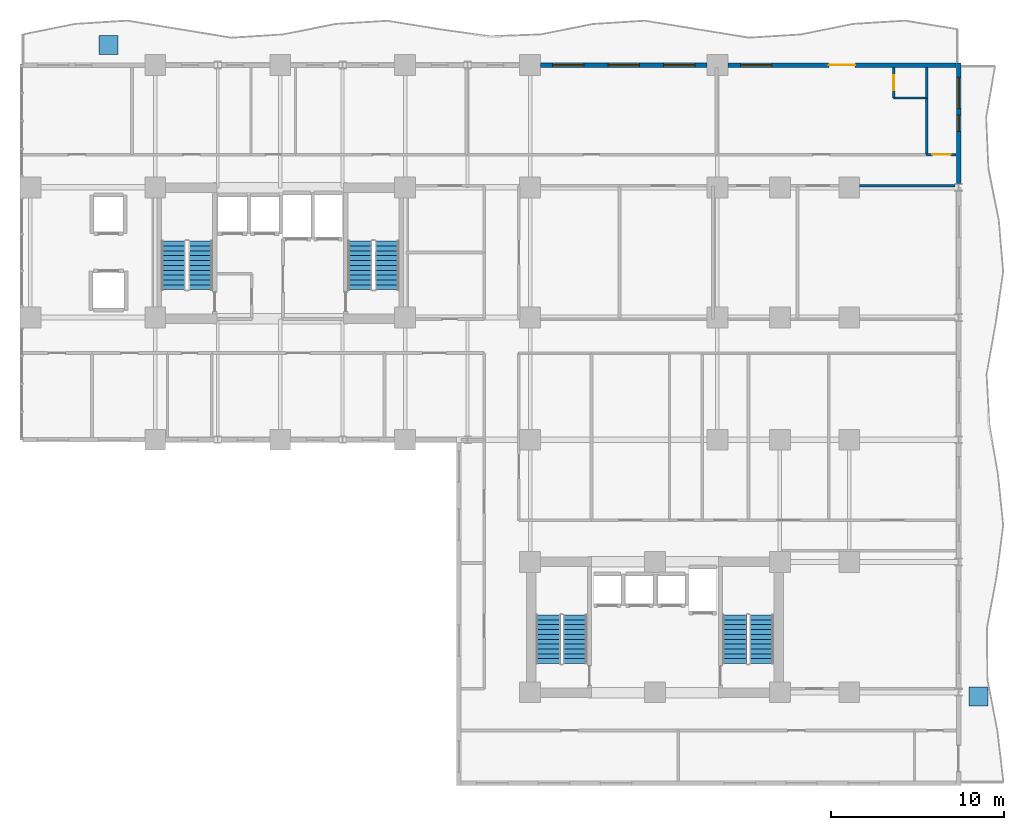
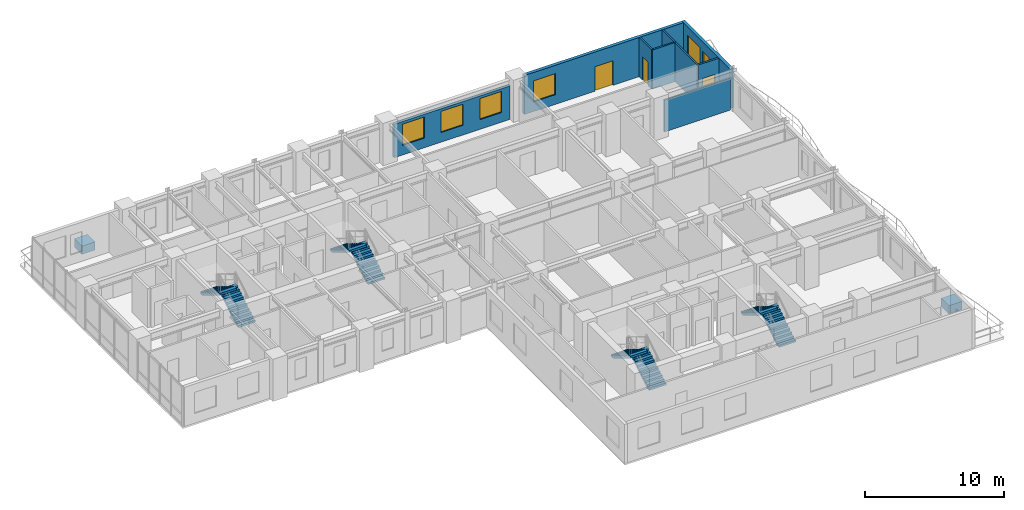
# One storey, part 15 of 18: 9 walls, 8 stair flights, 6 windows, 3 doors, 2 discrete accessories, 9 openings, 4 elements without a shape of their own.
"""IFC4 building model written with IfcOpenShell, lengths in metres."""

import ifcopenshell
import ifcopenshell.guid

model = None  # the IFC model being written
_history = None  # IfcOwnerHistory: only IFC2X3 demands one
_inside = {}  # id of a spatial element -> (the spatial element, [elements in it])
_under = {}  # id of a project, library or spatial element -> (it, [spatial elements below it])
_declared = {}  # id of a project -> (the project, [libraries it declares])
_typed = {}  # id of a type object -> (the type object, [elements of that type])
_made_of = {}  # id of a material, layer set ... -> (it, [elements and type objects made of it])


def new_model(schema):
    """Start an empty IFC model of exactly this schema.

    Asked for "IFC4X3", IfcOpenShell would pick the latest addendum, in which some entities
    have other attributes; the version numbers below select the first issue.
    IFC2X3 requires an IfcOwnerHistory on every rooted entity: one is made here for all.
    """
    global model, _history
    if schema == "IFC4X3":
        model = ifcopenshell.file(schema_version=(4, 3, 0, 0))
    else:
        model = ifcopenshell.file(schema=schema)
    _inside.clear()
    _under.clear()
    _declared.clear()
    _typed.clear()
    _made_of.clear()
    _history = None
    if model.schema == "IFC2X3":
        org = make("IfcOrganization", Name="unknown")
        user = make(
            "IfcPersonAndOrganization",
            ThePerson=make("IfcPerson", FamilyName="unknown"),
            TheOrganization=org,
        )
        app = make(
            "IfcApplication",
            ApplicationDeveloper=org,
            Version="unknown",
            ApplicationFullName="unknown",
            ApplicationIdentifier="unknown",
        )
        _history = make(
            "IfcOwnerHistory",
            OwningUser=user,
            OwningApplication=app,
            ChangeAction="ADDED",
            CreationDate=0,
        )
    return model


def make(cls, **values):
    """One entity of the class cls with the attributes given. An attribute that is None is left unset."""
    return model.create_entity(
        cls, **{name: value for name, value in values.items() if value is not None}
    )


def rooted(cls, **values):
    """An entity with a GlobalId (a new one), such as an element, a storey or a relation."""
    return make(cls, GlobalId=ifcopenshell.guid.new(), OwnerHistory=_history, **values)


def si_unit(unit_type, name, prefix=None):
    """IfcSIUnit, for example si_unit("LENGTHUNIT", "METRE", prefix="MILLI")."""
    return make("IfcSIUnit", UnitType=unit_type, Prefix=prefix, Name=name)


def assignment(units):
    """IfcUnitAssignment: the units of a project."""
    return None if units is None else make("IfcUnitAssignment", Units=units)


def point(xyz):
    """IfcCartesianPoint."""
    return None if xyz is None else make("IfcCartesianPoint", Coordinates=xyz)


def direction(xyz):
    """IfcDirection."""
    return None if xyz is None else make("IfcDirection", DirectionRatios=xyz)


def frame(location, z_axis=None, x_axis=None):
    """IfcAxis2Placement3D, a coordinate frame: its origin and axes. An axis left out is left unset."""
    return make(
        "IfcAxis2Placement3D",
        Location=point(location),
        Axis=direction(z_axis),
        RefDirection=direction(x_axis),
    )


def frame_2d(location, x_axis=None):
    """IfcAxis2Placement2D, a coordinate frame in the plane: its origin and x axis."""
    return make(
        "IfcAxis2Placement2D", Location=point(location), RefDirection=direction(x_axis)
    )


def origin():
    """The frame at (0, 0, 0) with its axes left unset."""
    return frame((0.0, 0.0, 0.0))


def origin_2d():
    """The frame at (0, 0) in the plane with its x axis left unset."""
    return frame_2d((0.0, 0.0))


def place(relative_to, where):
    """IfcLocalPlacement: puts the frame where relative to a parent placement (None: the world)."""
    return make(
        "IfcLocalPlacement", PlacementRelTo=relative_to, RelativePlacement=where
    )


def context(
    kind, dimensions, precision=None, world=None, true_north=None, identifier=None
):
    """IfcGeometricRepresentationContext, for example the 3D "Model" context."""
    return make(
        "IfcGeometricRepresentationContext",
        ContextIdentifier=identifier,
        ContextType=kind,
        CoordinateSpaceDimension=dimensions,
        Precision=precision,
        WorldCoordinateSystem=world,
        TrueNorth=true_north,
    )


def subcontext(parent, identifier, kind, view, scale=None):
    """IfcGeometricRepresentationSubContext, for example "Body" below "Model"."""
    return make(
        "IfcGeometricRepresentationSubContext",
        ContextIdentifier=identifier,
        ContextType=kind,
        ParentContext=parent,
        TargetScale=scale,
        TargetView=view,
    )


def project(units=None, contexts=None):
    """IfcProject with its units and contexts."""
    return rooted(
        "IfcProject",
        Name="project",
        RepresentationContexts=contexts,
        UnitsInContext=assignment(units),
    )


def spatial(cls, under=None, at=None, **own):
    """A site, building, storey or space (cls), placed at a placement, below another one or the project."""
    s = rooted(cls, ObjectPlacement=at, **own)
    if under is not None:
        _under.setdefault(under.id(), (under, []))[1].append(s)
    return s


def polyline(points):
    """IfcPolyline through the points."""
    return make("IfcPolyline", Points=[point(p) for p in points])


def profile(cls, at=None, kind="AREA", **sizes):
    """A parametric profile (cls). Its sizes go by their IFC names, for example OverallWidth=200.0."""
    return make(cls, ProfileType=kind, Position=at, **sizes)


def rectangle(**sizes):
    """IfcRectangleProfileDef."""
    return profile("IfcRectangleProfileDef", **sizes)


def outline(outer, holes=None, kind="AREA"):
    """IfcArbitraryClosedProfileDef: a profile drawn as a closed curve; with holes, ...WithVoids."""
    if holes is None:
        return make("IfcArbitraryClosedProfileDef", ProfileType=kind, OuterCurve=outer)
    return make(
        "IfcArbitraryProfileDefWithVoids",
        ProfileType=kind,
        OuterCurve=outer,
        InnerCurves=holes,
    )


def extrude(swept, where, along, depth):
    """IfcExtrudedAreaSolid: the profile swept, set in the frame where, extruded along a direction by depth."""
    return make(
        "IfcExtrudedAreaSolid",
        SweptArea=swept,
        Position=where,
        ExtrudedDirection=direction(along),
        Depth=depth,
    )


def shape(context_of_items, identifier, shape_type, items):
    """IfcShapeRepresentation: the items that make up one representation, for example the "Body"."""
    return make(
        "IfcShapeRepresentation",
        ContextOfItems=context_of_items,
        RepresentationIdentifier=identifier,
        RepresentationType=shape_type,
        Items=items,
    )


def source(mapping_origin, context_of_items, identifier, shape_type, items):
    """IfcRepresentationMap: a shape defined once, which mapped items show again and again."""
    return make(
        "IfcRepresentationMap",
        MappingOrigin=mapping_origin,
        MappedRepresentation=shape(context_of_items, identifier, shape_type, items),
    )


def transform(
    local_origin,
    x_axis=None,
    y_axis=None,
    z_axis=None,
    scale=None,
    scale2=None,
    scale3=None,
    uniform=True,
):
    """IfcCartesianTransformationOperator3D, or its non-uniform kind. x_axis, y_axis, z_axis: its Axis1, 2, 3."""
    if uniform:
        return make(
            "IfcCartesianTransformationOperator3D",
            Axis1=direction(x_axis),
            Axis2=direction(y_axis),
            LocalOrigin=point(local_origin),
            Scale=scale,
            Axis3=direction(z_axis),
        )
    return make(
        "IfcCartesianTransformationOperator3DnonUniform",
        Axis1=direction(x_axis),
        Axis2=direction(y_axis),
        LocalOrigin=point(local_origin),
        Scale=scale,
        Axis3=direction(z_axis),
        Scale2=scale2,
        Scale3=scale3,
    )


def mapped(mapping_source, mapping_target):
    """IfcMappedItem: shows the shape of a source again, moved by a transform."""
    return make(
        "IfcMappedItem", MappingSource=mapping_source, MappingTarget=mapping_target
    )


def material(Name=None, Category=None):
    """IfcMaterial."""
    return make("IfcMaterial", Name=Name, Category=Category)


def layer(
    of_material, thickness, ventilated=None, Name=None, Category=None, Priority=None
):
    """IfcMaterialLayer: one layer of a wall or slab, of a material (None: an air gap)."""
    return make(
        "IfcMaterialLayer",
        Material=of_material,
        LayerThickness=thickness,
        IsVentilated=ventilated,
        Name=Name,
        Category=Category,
        Priority=Priority,
    )


def layer_set(layers, Name=None):
    """IfcMaterialLayerSet."""
    return make("IfcMaterialLayerSet", MaterialLayers=layers, LayerSetName=Name)


def made_of(thing, what):
    """Note that an element or type object is made of a material, layer set ...; save() writes the relation."""
    if what is not None:
        _made_of.setdefault(what.id(), (what, []))[1].append(thing)
    return thing


def type_object(cls, material=None, **own):
    """A type object (cls), such as IfcWallType, which elements share."""
    return made_of(rooted(cls, **own), material)


def element(
    cls,
    number,
    at=None,
    inside=None,
    cuts=None,
    type_object=None,
    material=None,
    context=None,
    identifier="Body",
    shape_type=None,
    held_by="IfcProductDefinitionShape",
    body=None,
    shapes=None,
    **own,
):
    """One element of the class cls, such as IfcWall. Its Tag is "e" and its number.

    at: its placement. inside: the storey or other place that contains it. cuts: it is an
    opening in that element (IfcRelVoidsElement). A single representation is given by context,
    identifier, shape_type and body (its items); several are given by shapes. held_by: the class
    of the entity that holds the representations. save() writes the other relations.
    """
    e = rooted(cls, Tag="e%d" % number, ObjectPlacement=at, **own)
    if body is not None:
        shapes = [shape(context, identifier, shape_type, body)]
    if shapes is not None:
        e.Representation = make(held_by, Representations=shapes)
    if inside is not None:
        _inside.setdefault(inside.id(), (inside, []))[1].append(e)
    if cuts is not None:
        rooted(
            "IfcRelVoidsElement", RelatingBuildingElement=cuts, RelatedOpeningElement=e
        )
    if type_object is not None:
        _typed.setdefault(type_object.id(), (type_object, []))[1].append(e)
    return made_of(e, material)


def fill(opening, filler):
    """IfcRelFillsElement: the door or window that sits in an opening."""
    return rooted(
        "IfcRelFillsElement",
        RelatingOpeningElement=opening,
        RelatedBuildingElement=filler,
    )


def aggregate(whole, parts):
    """IfcRelAggregates: a whole, such as a stair, and the parts it consists of."""
    return rooted("IfcRelAggregates", RelatingObject=whole, RelatedObjects=parts)


def save(model, path):
    """Write the relations noted so far, then the file.

    IfcRelAggregates (storeys below a building ...), IfcRelContainedInSpatialStructure (elements
    in a storey), IfcRelDefinesByType, IfcRelAssociatesMaterial and IfcRelDeclares: one each for
    every whole, place, type object, material and project.
    """
    for whole, parts in _under.values():
        aggregate(whole, parts)
    for where, things in _inside.values():
        rooted(
            "IfcRelContainedInSpatialStructure",
            RelatedElements=things,
            RelatingStructure=where,
        )
    for kind, things in _typed.values():
        rooted("IfcRelDefinesByType", RelatedObjects=things, RelatingType=kind)
    for what, things in _made_of.values():
        rooted("IfcRelAssociatesMaterial", RelatedObjects=things, RelatingMaterial=what)
    for by, libraries in _declared.values():
        rooted("IfcRelDeclares", RelatingContext=by, RelatedDefinitions=libraries)
    model.write(path)


model = new_model("IFC4")

# Units and contexts
model_context = context("Model", 3, precision=1e-05, world=origin(), true_north=direction((0.0, 1.0)))
body_context = subcontext(model_context, "Body", "Model", "MODEL_VIEW")
ifc_project = project(units=[si_unit("LENGTHUNIT", "METRE"), si_unit("AREAUNIT", "SQUARE_METRE"), si_unit("VOLUMEUNIT", "CUBIC_METRE"), si_unit("PLANEANGLEUNIT", "RADIAN"), si_unit("MASSUNIT", "GRAM", prefix="KILO")], contexts=[model_context])

# Site, building, storey
site_placement = place(None, origin())
site = spatial("IfcSite", under=ifc_project, at=site_placement, CompositionType="ELEMENT")
building_placement = place(site_placement, origin())
building = spatial("IfcBuilding", under=site, at=building_placement, Name="Kaliganga Portal Commons", CompositionType="ELEMENT")
storey_placement = place(building_placement, frame((0.0, 0.0, 93.39990234375)))
storey = spatial("IfcBuildingStorey", under=building, at=storey_placement, Name="L23", CompositionType="ELEMENT", Elevation=93.39990234375)

# Wall, openings, windows
ifc_material_1 = material(Name="Insulated Aluminium-Clad Spandrel Assembly", Category="aluminium")
ifc_layer_1 = layer(ifc_material_1, 0.260009765625)
ifc_layer_set_1 = layer_set([ifc_layer_1], Name="Insulated Aluminium-Clad Spandrel Assembly")
wall_type_1 = type_object("IfcWallType", Name="WL-EXT-SPAND-260", PredefinedType="STANDARD", material=ifc_layer_set_1)
wall_1_placement = place(storey_placement, frame((60.699951171875, 43.330078125, 0.0), z_axis=(0.0, 0.0, 1.0), x_axis=(0.0, -1.0, 0.0)))
wall_1 = element("IfcWall", 1, at=wall_1_placement, inside=storey, type_object=wall_type_1, Name="Exterior Envelope Wall L23 P1-E01-S6", PredefinedType="STANDARD", context=body_context, shape_type="SweptSolid", body=[
    extrude(rectangle(XDim=6.964111328125, YDim=0.260009765625, at=frame_2d((3.48193359375, 0.0))), origin(), (0.0, 0.0, 1.0), 3.43017578125),
])
opening_1_placement = place(wall_1_placement, frame((0.841064453125, 0.0, 0.85009765625)))
opening_1 = element("IfcOpeningElement", 2, at=opening_1_placement, cuts=wall_1, Name="Opening W-01", PredefinedType="OPENING", context=body_context, shape_type="SweptSolid", body=[
    extrude(rectangle(XDim=1.800048828125, YDim=1.85009765625, at=frame_2d((0.89990234375, 0.925048828125))), frame((0.0, 0.14013671875, 0.0), z_axis=(0.0, -1.0, 0.0), x_axis=(1.0, 0.0, 0.0)), (0.0, 0.0, 1.0), 0.280029296875),
])
opening_2_placement = place(wall_1_placement, frame((3.007080078125, 0.0, 0.85009765625)))
opening_2 = element("IfcOpeningElement", 3, at=opening_2_placement, cuts=wall_1, Name="Opening W-04", PredefinedType="OPENING", context=body_context, shape_type="SweptSolid", body=[
    extrude(rectangle(XDim=0.949951171875, YDim=1.75, at=frame_2d((0.47509765625, 0.875))), frame((0.0, 0.14013671875, 0.0), z_axis=(0.0, -1.0, 0.0), x_axis=(1.0, 0.0, 0.0)), (0.0, 0.0, 1.0), 0.280029296875),
])
ifc_material_2 = material(Name="Thermally Broken Aluminium and Low-E Double Glazing", Category="aluminium")
window_type_1 = type_object("IfcWindowType", Name="WIN-NARROW-950", PartitioningType="SINGLE_PANEL", PredefinedType="WINDOW", material=ifc_material_2)
window_1_placement = place(opening_2_placement, origin())
window_1 = element("IfcWindow", 4, at=window_1_placement, inside=storey, type_object=window_type_1, Name="Facade Window L23-P1E01S6-N0", OverallHeight=1.75, OverallWidth=0.949951171875, PartitioningType="SINGLE_PANEL", PredefinedType="WINDOW", context=body_context, shape_type="SweptSolid", body=[
    extrude(rectangle(XDim=0.949951171875, YDim=1.75, at=frame_2d((0.47509765625, 0.875))), frame((0.0, 0.030029296875, 0.0), z_axis=(0.0, -1.0, 0.0), x_axis=(1.0, 0.0, 0.0)), (0.0, 0.0, 1.0), 0.06005859375),
])
fill(opening_2, window_1)
window_type_2 = type_object("IfcWindowType", Name="WIN-STD-1800", PartitioningType="DOUBLE_PANEL_VERTICAL", PredefinedType="WINDOW", material=ifc_material_2)
window_2_placement = place(opening_1_placement, origin())
window_2 = element("IfcWindow", 5, at=window_2_placement, inside=storey, type_object=window_type_2, Name="Facade Window L23-P1E01S6-00", OverallHeight=1.85009765625, OverallWidth=1.800048828125, PartitioningType="SINGLE_PANEL", PredefinedType="WINDOW", context=body_context, shape_type="SweptSolid", body=[
    extrude(rectangle(XDim=1.800048828125, YDim=1.85009765625, at=frame_2d((0.89990234375, 0.925048828125))), frame((0.0, 0.030029296875, 0.0), z_axis=(0.0, -1.0, 0.0), x_axis=(1.0, 0.0, 0.0)), (0.0, 0.0, 1.0), 0.06005859375),
])
fill(opening_1, window_2)

# Wall, openings, door, window
wall_2_placement = place(storey_placement, frame((47.40087890625, 43.199951171875, 0.0), z_axis=(0.0, 0.0, 1.0), x_axis=(1.0, 0.0, 0.0)))
wall_2 = element("IfcWall", 6, at=wall_2_placement, inside=storey, type_object=wall_type_1, Name="Exterior Envelope Wall L23 P1-E02-S1", PredefinedType="STANDARD", context=body_context, shape_type="SweptSolid", body=[
    extrude(rectangle(XDim=13.1640625, YDim=0.260009765625, at=frame_2d((6.58203125, 0.0))), origin(), (0.0, 0.0, 1.0), 3.43017578125),
])
opening_3_placement = place(wall_2_placement, frame((5.83203125, 0.0, 0.0)))
opening_3 = element("IfcOpeningElement", 7, at=opening_3_placement, cuts=wall_2, Name="Opening BD-01", PredefinedType="OPENING", context=body_context, shape_type="SweptSolid", body=[
    extrude(rectangle(XDim=1.5, YDim=2.14990234375, at=frame_2d((0.75, 1.074951171875))), frame((0.0, 0.14013671875, 0.0), z_axis=(0.0, -1.0, 0.0), x_axis=(1.0, 0.0, 0.0)), (0.0, 0.0, 1.0), 0.280029296875),
])
opening_4_placement = place(wall_2_placement, frame((0.74560546875, 0.0, 0.85009765625)))
opening_4 = element("IfcOpeningElement", 8, at=opening_4_placement, cuts=wall_2, Name="Opening W-01", PredefinedType="OPENING", context=body_context, shape_type="SweptSolid", body=[
    extrude(rectangle(XDim=1.800048828125, YDim=1.85009765625, at=frame_2d((0.89990234375, 0.925048828125))), frame((0.0, 0.14013671875, 0.0), z_axis=(0.0, -1.0, 0.0), x_axis=(1.0, 0.0, 0.0)), (0.0, 0.0, 1.0), 0.280029296875),
])
ifc_material_3 = material(Name="Anodized Aluminium and Laminated Safety Glass", Category="aluminium")
door_type_1 = type_object("IfcDoorType", Name="DR-BALC-1500", OperationType="SLIDING_TO_LEFT", PredefinedType="DOOR", material=ifc_material_3)
door_1_placement = place(opening_3_placement, origin())
door_1 = element("IfcDoor", 9, at=door_1_placement, inside=storey, type_object=door_type_1, Name="Balcony Sliding Door L23 balc_north", OperationType="SLIDING_TO_LEFT", OverallHeight=2.14990234375, OverallWidth=1.5, PredefinedType="DOOR", context=body_context, shape_type="SweptSolid", body=[
    extrude(rectangle(XDim=1.5, YDim=2.14990234375, at=frame_2d((0.75, 1.074951171875))), frame((0.0, 0.02490234375, 0.0), z_axis=(0.0, -1.0, 0.0), x_axis=(1.0, 0.0, 0.0)), (0.0, 0.0, 1.0), 0.050048828125),
])
fill(opening_3, door_1)
window_3_placement = place(opening_4_placement, origin())
window_3 = element("IfcWindow", 10, at=window_3_placement, inside=storey, type_object=window_type_2, Name="Facade Window L23-P1E02S1-00", OverallHeight=1.85009765625, OverallWidth=1.800048828125, PartitioningType="SINGLE_PANEL", PredefinedType="WINDOW", context=body_context, shape_type="SweptSolid", body=[
    extrude(rectangle(XDim=1.800048828125, YDim=1.85009765625, at=frame_2d((0.89990234375, 0.925048828125))), frame((0.0, 0.030029296875, 0.0), z_axis=(0.0, -1.0, 0.0), x_axis=(1.0, 0.0, 0.0)), (0.0, 0.0, 1.0), 0.06005859375),
])
fill(opening_4, window_3)

# Wall, openings, windows
wall_3_placement = place(storey_placement, frame((36.60107421875, 43.199951171875, 0.0), z_axis=(0.0, 0.0, 1.0), x_axis=(1.0, 0.0, 0.0)))
wall_3 = element("IfcWall", 11, at=wall_3_placement, inside=storey, type_object=wall_type_1, Name="Exterior Envelope Wall L23 P1-E02-S2", PredefinedType="STANDARD", context=body_context, shape_type="SweptSolid", body=[
    extrude(rectangle(XDim=9.597900390625, YDim=0.260009765625, at=frame_2d((4.798828125, 0.0))), origin(), (0.0, 0.0, 1.0), 2.93017578125),
])
opening_5_placement = place(wall_3_placement, frame((0.69970703125, 0.0, 0.85009765625)))
opening_5 = element("IfcOpeningElement", 12, at=opening_5_placement, cuts=wall_3, Name="Opening W-01", PredefinedType="OPENING", context=body_context, shape_type="SweptSolid", body=[
    extrude(rectangle(XDim=1.800048828125, YDim=1.85009765625, at=frame_2d((0.89990234375, 0.925048828125))), frame((0.0, 0.14013671875, 0.0), z_axis=(0.0, -1.0, 0.0), x_axis=(1.0, 0.0, 0.0)), (0.0, 0.0, 1.0), 0.280029296875),
])
opening_6_placement = place(wall_3_placement, frame((3.89892578125, 0.0, 0.85009765625)))
opening_6 = element("IfcOpeningElement", 13, at=opening_6_placement, cuts=wall_3, Name="Opening W-01", PredefinedType="OPENING", context=body_context, shape_type="SweptSolid", body=[
    extrude(rectangle(XDim=1.800048828125, YDim=1.85009765625, at=frame_2d((0.89990234375, 0.925048828125))), frame((0.0, 0.14013671875, 0.0), z_axis=(0.0, -1.0, 0.0), x_axis=(1.0, 0.0, 0.0)), (0.0, 0.0, 1.0), 0.280029296875),
])
opening_7_placement = place(wall_3_placement, frame((7.098388671875, 0.0, 0.85009765625)))
opening_7 = element("IfcOpeningElement", 14, at=opening_7_placement, cuts=wall_3, Name="Opening W-01", PredefinedType="OPENING", context=body_context, shape_type="SweptSolid", body=[
    extrude(rectangle(XDim=1.800048828125, YDim=1.85009765625, at=frame_2d((0.89990234375, 0.925048828125))), frame((0.0, 0.14013671875, 0.0), z_axis=(0.0, -1.0, 0.0), x_axis=(1.0, 0.0, 0.0)), (0.0, 0.0, 1.0), 0.280029296875),
])
window_4_placement = place(opening_5_placement, origin())
window_4 = element("IfcWindow", 15, at=window_4_placement, inside=storey, type_object=window_type_2, Name="Facade Window L23-P1E02S2-00", OverallHeight=1.85009765625, OverallWidth=1.800048828125, PartitioningType="SINGLE_PANEL", PredefinedType="WINDOW", context=body_context, shape_type="SweptSolid", body=[
    extrude(rectangle(XDim=1.800048828125, YDim=1.85009765625, at=frame_2d((0.89990234375, 0.925048828125))), frame((0.0, 0.030029296875, 0.0), z_axis=(0.0, -1.0, 0.0), x_axis=(1.0, 0.0, 0.0)), (0.0, 0.0, 1.0), 0.06005859375),
])
fill(opening_5, window_4)
window_5_placement = place(opening_6_placement, origin())
window_5 = element("IfcWindow", 16, at=window_5_placement, inside=storey, type_object=window_type_2, Name="Facade Window L23-P1E02S2-01", OverallHeight=1.85009765625, OverallWidth=1.800048828125, PartitioningType="SINGLE_PANEL", PredefinedType="WINDOW", context=body_context, shape_type="SweptSolid", body=[
    extrude(rectangle(XDim=1.800048828125, YDim=1.85009765625, at=frame_2d((0.89990234375, 0.925048828125))), frame((0.0, 0.030029296875, 0.0), z_axis=(0.0, -1.0, 0.0), x_axis=(1.0, 0.0, 0.0)), (0.0, 0.0, 1.0), 0.06005859375),
])
fill(opening_6, window_5)
window_6_placement = place(opening_7_placement, origin())
window_6 = element("IfcWindow", 17, at=window_6_placement, inside=storey, type_object=window_type_2, Name="Facade Window L23-P1E02S2-02", OverallHeight=1.85009765625, OverallWidth=1.800048828125, PartitioningType="SINGLE_PANEL", PredefinedType="WINDOW", context=body_context, shape_type="SweptSolid", body=[
    extrude(rectangle(XDim=1.800048828125, YDim=1.85009765625, at=frame_2d((0.89990234375, 0.925048828125))), frame((0.0, 0.030029296875, 0.0), z_axis=(0.0, -1.0, 0.0), x_axis=(1.0, 0.0, 0.0)), (0.0, 0.0, 1.0), 0.06005859375),
])
fill(opening_7, window_6)

# Wall
ifc_material_4 = material(Name="Fire-Rated Gypsum Board on Steel Stud", Category="steel")
ifc_layer_2 = layer(ifc_material_4, 0.14990234375)
ifc_layer_set_2 = layer_set([ifc_layer_2], Name="Fire-Rated Gypsum Board on Steel Stud")
wall_type_2 = type_object("IfcWallType", Name="WL-PART-CORR-150", PredefinedType="PARTITIONING", material=ifc_layer_set_2)
wall_4_placement = place(storey_placement, frame((55.0, 36.239990234375, 0.0), z_axis=(0.0, 0.0, 1.0), x_axis=(1.0, 0.0, 0.0)))
element("IfcWall", 18, at=wall_4_placement, inside=storey, type_object=wall_type_2, Name="Interior Partition L23-015", PredefinedType="PARTITIONING", context=body_context, shape_type="SweptSolid", body=[
    extrude(rectangle(XDim=5.49560546875, YDim=0.14990234375, at=frame_2d((2.747802734375, 0.0))), origin(), (0.0, 0.0, 1.0), 2.780029296875),
])

# Wall, opening, door
wall_5_placement = place(storey_placement, frame((58.860107421875, 38.0400390625, 0.0), z_axis=(0.0, 0.0, 1.0), x_axis=(1.0, 0.0, 0.0)))
wall_5 = element("IfcWall", 19, at=wall_5_placement, inside=storey, type_object=wall_type_2, Name="Interior Partition L23-045", PredefinedType="PARTITIONING", context=body_context, shape_type="SweptSolid", body=[
    extrude(rectangle(XDim=1.7080078125, YDim=0.14990234375, at=frame_2d((0.85400390625, 0.0))), origin(), (0.0, 0.0, 1.0), 3.43017578125),
])
opening_8_placement = place(wall_5_placement, frame((0.3291015625, 0.0, 0.0)))
opening_8 = element("IfcOpeningElement", 20, at=opening_8_placement, cuts=wall_5, Name="Opening UD-02", PredefinedType="OPENING", context=body_context, shape_type="SweptSolid", body=[
    extrude(rectangle(XDim=1.050048828125, YDim=2.1201171875, at=frame_2d((0.52490234375, 1.06005859375))), frame((0.0, 0.0849609375, 0.0), z_axis=(0.0, -1.0, 0.0), x_axis=(1.0, 0.0, 0.0)), (0.0, 0.0, 1.0), 0.169921875),
])
ifc_material_5 = material(Name="Accessible Wide-Leaf Acoustic Fire Door", Category="wood")
door_type_2 = type_object("IfcDoorType", Name="DR-ACC-1050", OperationType="NOTDEFINED", PredefinedType="DOOR", material=ifc_material_5)
door_2_placement = place(opening_8_placement, origin())
door_2 = element("IfcDoor", 21, at=door_2_placement, inside=storey, type_object=door_type_2, Name="Interior Door L23-AN07", OperationType="SINGLE_SWING_LEFT", OverallHeight=2.1201171875, OverallWidth=1.050048828125, PredefinedType="DOOR", context=body_context, shape_type="SweptSolid", body=[
    extrude(rectangle(XDim=1.050048828125, YDim=2.1201171875, at=frame_2d((0.52490234375, 1.06005859375))), frame((0.0, 0.02490234375, 0.0), z_axis=(0.0, -1.0, 0.0), x_axis=(1.0, 0.0, 0.0)), (0.0, 0.0, 1.0), 0.050048828125),
])
fill(opening_8, door_2)

ifc_material_6 = material(Name="Cement-Board Wet-Room Partition", Category="gypsum")
ifc_layer_3 = layer(ifc_material_6, 0.135009765625)
ifc_layer_set_3 = layer_set([ifc_layer_3], Name="Cement-Board Wet-Room Partition")
wall_type_3 = type_object("IfcWallType", Name="WL-PART-WET-135", PredefinedType="PARTITIONING", material=ifc_layer_set_3)
wall_6_placement = place(storey_placement, frame((56.9599609375, 41.300048828125, 0.0), z_axis=(0.0, 0.0, 1.0), x_axis=(0.0, 1.0, 0.0)))
wall_6 = element("IfcWall", 22, at=wall_6_placement, inside=storey, type_object=wall_type_3, Name="Interior Partition L23-001", PredefinedType="PARTITIONING", context=body_context, shape_type="SweptSolid", body=[
    extrude(rectangle(XDim=1.76806640625, YDim=0.135009765625, at=frame_2d((0.884033203125, 0.0))), origin(), (0.0, 0.0, 1.0), 3.43017578125),
])
opening_9_placement = place(wall_6_placement, frame((0.458984375, 0.0, 0.0)))
opening_9 = element("IfcOpeningElement", 23, at=opening_9_placement, cuts=wall_6, Name="Opening WD-01", PredefinedType="OPENING", context=body_context, shape_type="SweptSolid", body=[
    extrude(rectangle(XDim=0.85009765625, YDim=2.0400390625, at=frame_2d((0.425048828125, 1.02001953125))), frame((0.0, 0.07763671875, 0.0), z_axis=(0.0, -1.0, 0.0), x_axis=(1.0, 0.0, 0.0)), (0.0, 0.0, 1.0), 0.155029296875),
])
ifc_material_7 = material(Name="Moisture-Resistant Laminate Timber Door", Category="wood")
door_type_3 = type_object("IfcDoorType", Name="DR-WET-850", OperationType="NOTDEFINED", PredefinedType="DOOR", material=ifc_material_7)
door_3_placement = place(opening_9_placement, origin())
door_3 = element("IfcDoor", 24, at=door_3_placement, inside=storey, type_object=door_type_3, Name="Interior Door L23-AN06E", OperationType="SINGLE_SWING_RIGHT", OverallHeight=2.0400390625, OverallWidth=0.85009765625, PredefinedType="DOOR", context=body_context, shape_type="SweptSolid", body=[
    extrude(rectangle(XDim=0.85009765625, YDim=2.0400390625, at=frame_2d((0.425048828125, 1.02001953125))), frame((0.0, 0.02490234375, 0.0), z_axis=(0.0, -1.0, 0.0), x_axis=(1.0, 0.0, 0.0)), (0.0, 0.0, 1.0), 0.050048828125),
])
fill(opening_9, door_3)

# Walls
wall_7_placement = place(storey_placement, frame((58.860107421875, 41.300048828125, 0.0), z_axis=(0.0, 0.0, 1.0), x_axis=(0.0, 1.0, 0.0)))
element("IfcWall", 25, at=wall_7_placement, inside=storey, type_object=wall_type_3, Name="Interior Partition L23-002", PredefinedType="PARTITIONING", context=body_context, shape_type="SweptSolid", body=[
    extrude(rectangle(XDim=1.76806640625, YDim=0.135009765625, at=frame_2d((0.884033203125, 0.0))), origin(), (0.0, 0.0, 1.0), 3.43017578125),
])
wall_8_placement = place(storey_placement, frame((56.9599609375, 41.300048828125, 0.0), z_axis=(0.0, 0.0, 1.0), x_axis=(1.0, 0.0, 0.0)))
element("IfcWall", 26, at=wall_8_placement, inside=storey, type_object=wall_type_3, Name="Interior Partition L23-003", PredefinedType="PARTITIONING", context=body_context, shape_type="SweptSolid", body=[
    extrude(rectangle(XDim=1.900146484375, YDim=0.135009765625, at=frame_2d((0.9501953125, 0.0))), origin(), (0.0, 0.0, 1.0), 3.43017578125),
])
wall_9_placement = place(storey_placement, frame((58.860107421875, 38.0400390625, 0.0), z_axis=(0.0, 0.0, 1.0), x_axis=(0.0, 1.0, 0.0)))
element("IfcWall", 27, at=wall_9_placement, inside=storey, type_object=wall_type_3, Name="Interior Partition L23-077", PredefinedType="PARTITIONING", context=body_context, shape_type="SweptSolid", body=[
    extrude(rectangle(XDim=3.260009765625, YDim=0.135009765625, at=frame_2d((1.6298828125, 0.0))), origin(), (0.0, 0.0, 1.0), 3.43017578125),
])

# Stair, stair flights
ifc_material_8 = material(Name="Concrete C40/50", Category="concrete")
stair_type = type_object("IfcStairType", Name="ST-CORE-DOGLEG", PredefinedType="HALF_TURN_STAIR", material=ifc_material_8)
stair_1_placement = place(storey_placement, origin())
stair_1 = element("IfcStair", 28, at=stair_1_placement, inside=storey, type_object=stair_type, Name="L23 Protected Exit Stair ST-A1", PredefinedType="HALF_TURN_STAIR")
stair_flight_type = type_object("IfcStairFlightType", Name="STF-RC-1400", PredefinedType="STRAIGHT", material=ifc_material_8)
stair_flight_1_placement = place(storey_placement, frame((17.0, 30.25, 0.0), z_axis=(0.0, 0.0, 1.0), x_axis=(0.0, 1.0, 0.0)))
stair_flight_1 = element("IfcStairFlight", 29, at=stair_flight_1_placement, type_object=stair_flight_type, Name="ST-A1 flight 1", NumberOfRisers=11, NumberOfTreads=10, PredefinedType="STRAIGHT", RiserHeight=0.168181818, TreadLength=0.28, context=body_context, shape_type="SweptSolid", body=[
    extrude(outline(polyline([(0.0, 0.0), (0.0, 0.168212890625), (0.280029296875, 0.168212890625), (0.280029296875, 0.33642578125), (0.56005859375, 0.33642578125), (0.56005859375, 0.504638671875), (0.840087890625, 0.504638671875), (0.840087890625, 0.672607421875), (1.1201171875, 0.672607421875), (1.1201171875, 0.8408203125), (1.39990234375, 0.8408203125), (1.39990234375, 1.009033203125), (1.679931640625, 1.009033203125), (1.679931640625, 1.17724609375), (1.9599609375, 1.17724609375), (1.9599609375, 1.345458984375), (2.239990234375, 1.345458984375), (2.239990234375, 1.513671875), (2.52001953125, 1.513671875), (2.52001953125, 1.681884765625), (2.800048828125, 1.681884765625), (2.800048828125, 1.85009765625), (2.800048828125, 1.5068359375), (0.291015625, 0.0), (0.0, 0.0)])), frame((0.0, 0.699951171875, 0.0), z_axis=(0.0, -1.0, 0.0), x_axis=(1.0, 0.0, 0.0)), (0.0, 0.0, 1.0), 1.39990234375),
])
stair_flight_2_placement = place(storey_placement, frame((15.449951171875, 33.050048828125, 1.85009765625), z_axis=(0.0, 0.0, 1.0), x_axis=(0.0, -1.0, 0.0)))
stair_flight_2 = element("IfcStairFlight", 30, at=stair_flight_2_placement, type_object=stair_flight_type, Name="ST-A1 flight 2", NumberOfRisers=11, NumberOfTreads=10, PredefinedType="STRAIGHT", RiserHeight=0.168181818, TreadLength=0.28, context=body_context, shape_type="SweptSolid", body=[
    extrude(outline(polyline([(0.0, 0.0), (0.0, 0.168212890625), (0.280029296875, 0.168212890625), (0.280029296875, 0.33642578125), (0.56005859375, 0.33642578125), (0.56005859375, 0.504638671875), (0.840087890625, 0.504638671875), (0.840087890625, 0.672607421875), (1.1201171875, 0.672607421875), (1.1201171875, 0.8408203125), (1.39990234375, 0.8408203125), (1.39990234375, 1.009033203125), (1.679931640625, 1.009033203125), (1.679931640625, 1.17724609375), (1.9599609375, 1.17724609375), (1.9599609375, 1.345458984375), (2.239990234375, 1.345458984375), (2.239990234375, 1.513671875), (2.52001953125, 1.513671875), (2.52001953125, 1.681884765625), (2.800048828125, 1.681884765625), (2.800048828125, 1.85009765625), (2.800048828125, 1.5068359375), (0.291015625, 0.0), (0.0, 0.0)])), frame((0.0, 0.699951171875, 0.0), z_axis=(0.0, -1.0, 0.0), x_axis=(1.0, 0.0, 0.0)), (0.0, 0.0, 1.0), 1.39990234375),
])
aggregate(stair_1, [stair_flight_1, stair_flight_2])

stair_2_placement = place(storey_placement, origin())
stair_2 = element("IfcStair", 31, at=stair_2_placement, inside=storey, type_object=stair_type, Name="L23 Protected Exit Stair ST-A2", PredefinedType="HALF_TURN_STAIR")
stair_flight_3_placement = place(storey_placement, frame((27.75, 30.25, 0.0), z_axis=(0.0, 0.0, 1.0), x_axis=(0.0, 1.0, 0.0)))
stair_flight_3 = element("IfcStairFlight", 32, at=stair_flight_3_placement, type_object=stair_flight_type, Name="ST-A2 flight 1", NumberOfRisers=11, NumberOfTreads=10, PredefinedType="STRAIGHT", RiserHeight=0.168181818, TreadLength=0.28, context=body_context, shape_type="SweptSolid", body=[
    extrude(outline(polyline([(0.0, 0.0), (0.0, 0.168212890625), (0.280029296875, 0.168212890625), (0.280029296875, 0.33642578125), (0.56005859375, 0.33642578125), (0.56005859375, 0.504638671875), (0.840087890625, 0.504638671875), (0.840087890625, 0.672607421875), (1.1201171875, 0.672607421875), (1.1201171875, 0.8408203125), (1.39990234375, 0.8408203125), (1.39990234375, 1.009033203125), (1.679931640625, 1.009033203125), (1.679931640625, 1.17724609375), (1.9599609375, 1.17724609375), (1.9599609375, 1.345458984375), (2.239990234375, 1.345458984375), (2.239990234375, 1.513671875), (2.52001953125, 1.513671875), (2.52001953125, 1.681884765625), (2.800048828125, 1.681884765625), (2.800048828125, 1.85009765625), (2.800048828125, 1.5068359375), (0.291015625, 0.0), (0.0, 0.0)])), frame((0.0, 0.699951171875, 0.0), z_axis=(0.0, -1.0, 0.0), x_axis=(1.0, 0.0, 0.0)), (0.0, 0.0, 1.0), 1.39990234375),
])
stair_flight_4_placement = place(storey_placement, frame((26.199951171875, 33.050048828125, 1.85009765625), z_axis=(0.0, 0.0, 1.0), x_axis=(0.0, -1.0, 0.0)))
stair_flight_4 = element("IfcStairFlight", 33, at=stair_flight_4_placement, type_object=stair_flight_type, Name="ST-A2 flight 2", NumberOfRisers=11, NumberOfTreads=10, PredefinedType="STRAIGHT", RiserHeight=0.168181818, TreadLength=0.28, context=body_context, shape_type="SweptSolid", body=[
    extrude(outline(polyline([(0.0, 0.0), (0.0, 0.168212890625), (0.280029296875, 0.168212890625), (0.280029296875, 0.33642578125), (0.56005859375, 0.33642578125), (0.56005859375, 0.504638671875), (0.840087890625, 0.504638671875), (0.840087890625, 0.672607421875), (1.1201171875, 0.672607421875), (1.1201171875, 0.8408203125), (1.39990234375, 0.8408203125), (1.39990234375, 1.009033203125), (1.679931640625, 1.009033203125), (1.679931640625, 1.17724609375), (1.9599609375, 1.17724609375), (1.9599609375, 1.345458984375), (2.239990234375, 1.345458984375), (2.239990234375, 1.513671875), (2.52001953125, 1.513671875), (2.52001953125, 1.681884765625), (2.800048828125, 1.681884765625), (2.800048828125, 1.85009765625), (2.800048828125, 1.5068359375), (0.291015625, 0.0), (0.0, 0.0)])), frame((0.0, 0.699951171875, 0.0), z_axis=(0.0, -1.0, 0.0), x_axis=(1.0, 0.0, 0.0)), (0.0, 0.0, 1.0), 1.39990234375),
])
aggregate(stair_2, [stair_flight_3, stair_flight_4])

stair_3_placement = place(storey_placement, origin())
stair_3 = element("IfcStair", 34, at=stair_3_placement, inside=storey, type_object=stair_type, Name="L23 Protected Exit Stair ST-B1", PredefinedType="HALF_TURN_STAIR")
stair_flight_5_placement = place(storey_placement, frame((38.60009765625, 8.699951171875, 0.0), z_axis=(0.0, 0.0, 1.0), x_axis=(0.0, 1.0, 0.0)))
stair_flight_5 = element("IfcStairFlight", 35, at=stair_flight_5_placement, type_object=stair_flight_type, Name="ST-B1 flight 1", NumberOfRisers=11, NumberOfTreads=10, PredefinedType="STRAIGHT", RiserHeight=0.168181818, TreadLength=0.28, context=body_context, shape_type="SweptSolid", body=[
    extrude(outline(polyline([(0.0, 0.0), (0.0, 0.168212890625), (0.280029296875, 0.168212890625), (0.280029296875, 0.33642578125), (0.56005859375, 0.33642578125), (0.56005859375, 0.504638671875), (0.840087890625, 0.504638671875), (0.840087890625, 0.672607421875), (1.1201171875, 0.672607421875), (1.1201171875, 0.8408203125), (1.39990234375, 0.8408203125), (1.39990234375, 1.009033203125), (1.679931640625, 1.009033203125), (1.679931640625, 1.17724609375), (1.9599609375, 1.17724609375), (1.9599609375, 1.345458984375), (2.239990234375, 1.345458984375), (2.239990234375, 1.513671875), (2.52001953125, 1.513671875), (2.52001953125, 1.681884765625), (2.800048828125, 1.681884765625), (2.800048828125, 1.85009765625), (2.800048828125, 1.5068359375), (0.291015625, 0.0), (0.0, 0.0)])), frame((0.0, 0.699951171875, 0.0), z_axis=(0.0, -1.0, 0.0), x_axis=(1.0, 0.0, 0.0)), (0.0, 0.0, 1.0), 1.39990234375),
])
stair_flight_6_placement = place(storey_placement, frame((37.050048828125, 11.5, 1.85009765625), z_axis=(0.0, 0.0, 1.0), x_axis=(0.0, -1.0, 0.0)))
stair_flight_6 = element("IfcStairFlight", 36, at=stair_flight_6_placement, type_object=stair_flight_type, Name="ST-B1 flight 2", NumberOfRisers=11, NumberOfTreads=10, PredefinedType="STRAIGHT", RiserHeight=0.168181818, TreadLength=0.28, context=body_context, shape_type="SweptSolid", body=[
    extrude(outline(polyline([(0.0, 0.0), (0.0, 0.168212890625), (0.280029296875, 0.168212890625), (0.280029296875, 0.33642578125), (0.56005859375, 0.33642578125), (0.56005859375, 0.504638671875), (0.840087890625, 0.504638671875), (0.840087890625, 0.672607421875), (1.1201171875, 0.672607421875), (1.1201171875, 0.8408203125), (1.39990234375, 0.8408203125), (1.39990234375, 1.009033203125), (1.679931640625, 1.009033203125), (1.679931640625, 1.17724609375), (1.9599609375, 1.17724609375), (1.9599609375, 1.345458984375), (2.239990234375, 1.345458984375), (2.239990234375, 1.513671875), (2.52001953125, 1.513671875), (2.52001953125, 1.681884765625), (2.800048828125, 1.681884765625), (2.800048828125, 1.85009765625), (2.800048828125, 1.5068359375), (0.291015625, 0.0), (0.0, 0.0)])), frame((0.0, 0.699951171875, 0.0), z_axis=(0.0, -1.0, 0.0), x_axis=(1.0, 0.0, 0.0)), (0.0, 0.0, 1.0), 1.39990234375),
])
aggregate(stair_3, [stair_flight_5, stair_flight_6])

stair_4_placement = place(storey_placement, origin())
stair_4 = element("IfcStair", 37, at=stair_4_placement, inside=storey, type_object=stair_type, Name="L23 Protected Exit Stair ST-B2", PredefinedType="HALF_TURN_STAIR")
stair_flight_7_placement = place(storey_placement, frame((49.35009765625, 8.699951171875, 0.0), z_axis=(0.0, 0.0, 1.0), x_axis=(0.0, 1.0, 0.0)))
stair_flight_7 = element("IfcStairFlight", 38, at=stair_flight_7_placement, type_object=stair_flight_type, Name="ST-B2 flight 1", NumberOfRisers=11, NumberOfTreads=10, PredefinedType="STRAIGHT", RiserHeight=0.168181818, TreadLength=0.28, context=body_context, shape_type="SweptSolid", body=[
    extrude(outline(polyline([(0.0, 0.0), (0.0, 0.168212890625), (0.280029296875, 0.168212890625), (0.280029296875, 0.33642578125), (0.56005859375, 0.33642578125), (0.56005859375, 0.504638671875), (0.840087890625, 0.504638671875), (0.840087890625, 0.672607421875), (1.1201171875, 0.672607421875), (1.1201171875, 0.8408203125), (1.39990234375, 0.8408203125), (1.39990234375, 1.009033203125), (1.679931640625, 1.009033203125), (1.679931640625, 1.17724609375), (1.9599609375, 1.17724609375), (1.9599609375, 1.345458984375), (2.239990234375, 1.345458984375), (2.239990234375, 1.513671875), (2.52001953125, 1.513671875), (2.52001953125, 1.681884765625), (2.800048828125, 1.681884765625), (2.800048828125, 1.85009765625), (2.800048828125, 1.5068359375), (0.291015625, 0.0), (0.0, 0.0)])), frame((0.0, 0.699951171875, 0.0), z_axis=(0.0, -1.0, 0.0), x_axis=(1.0, 0.0, 0.0)), (0.0, 0.0, 1.0), 1.39990234375),
])
stair_flight_8_placement = place(storey_placement, frame((47.800048828125, 11.5, 1.85009765625), z_axis=(0.0, 0.0, 1.0), x_axis=(0.0, -1.0, 0.0)))
stair_flight_8 = element("IfcStairFlight", 39, at=stair_flight_8_placement, type_object=stair_flight_type, Name="ST-B2 flight 2", NumberOfRisers=11, NumberOfTreads=10, PredefinedType="STRAIGHT", RiserHeight=0.168181818, TreadLength=0.28, context=body_context, shape_type="SweptSolid", body=[
    extrude(outline(polyline([(0.0, 0.0), (0.0, 0.168212890625), (0.280029296875, 0.168212890625), (0.280029296875, 0.33642578125), (0.56005859375, 0.33642578125), (0.56005859375, 0.504638671875), (0.840087890625, 0.504638671875), (0.840087890625, 0.672607421875), (1.1201171875, 0.672607421875), (1.1201171875, 0.8408203125), (1.39990234375, 0.8408203125), (1.39990234375, 1.009033203125), (1.679931640625, 1.009033203125), (1.679931640625, 1.17724609375), (1.9599609375, 1.17724609375), (1.9599609375, 1.345458984375), (2.239990234375, 1.345458984375), (2.239990234375, 1.513671875), (2.52001953125, 1.513671875), (2.52001953125, 1.681884765625), (2.800048828125, 1.681884765625), (2.800048828125, 1.85009765625), (2.800048828125, 1.5068359375), (0.291015625, 0.0), (0.0, 0.0)])), frame((0.0, 0.699951171875, 0.0), z_axis=(0.0, -1.0, 0.0), x_axis=(1.0, 0.0, 0.0)), (0.0, 0.0, 1.0), 1.39990234375),
])
aggregate(stair_4, [stair_flight_7, stair_flight_8])

# Discrete accessories
ifc_material_9 = material(Name="Precast concrete C40/50", Category="concrete")
discrete_accessory_type = type_object("IfcDiscreteAccessoryType", Name="DAC-PLANTER-RC", PredefinedType="USERDEFINED", material=ifc_material_9)
shared_shape = source(origin(), body_context, "Body", "SweptSolid", [
    extrude(rectangle(XDim=1.10009765625, YDim=1.10009765625, at=origin_2d()), origin(), (0.0, 0.0, 1.0), 0.719970703125),
])
for number, where, z_axis, x_axis, name in (
    (40, (11.699951171875, 44.35009765625, 0.0), (0.0, 0.0, 1.0), (1.0, 0.0, 0.0), "Structural Tree Planter L23 balc_north"),
    (41, (61.85009765625, 6.800048828125, 0.0), (0.0, 0.0, 1.0), (1.0, 0.0, 0.0), "Structural Tree Planter L23 balc_east"),
):
    element("IfcDiscreteAccessory", number, at=place(storey_placement, frame(where, z_axis=z_axis, x_axis=x_axis)), inside=storey, type_object=discrete_accessory_type, Name=name, ObjectType="PLANTER", PredefinedType="USERDEFINED", context=body_context, shape_type="MappedRepresentation", body=[
        mapped(shared_shape, transform((0.0, 0.0, 0.0), x_axis=(1.0, 0.0, 0.0), y_axis=(0.0, 1.0, 0.0), z_axis=(0.0, 0.0, 1.0), scale=1.0)),
    ])

save(model, "model.ifc")
